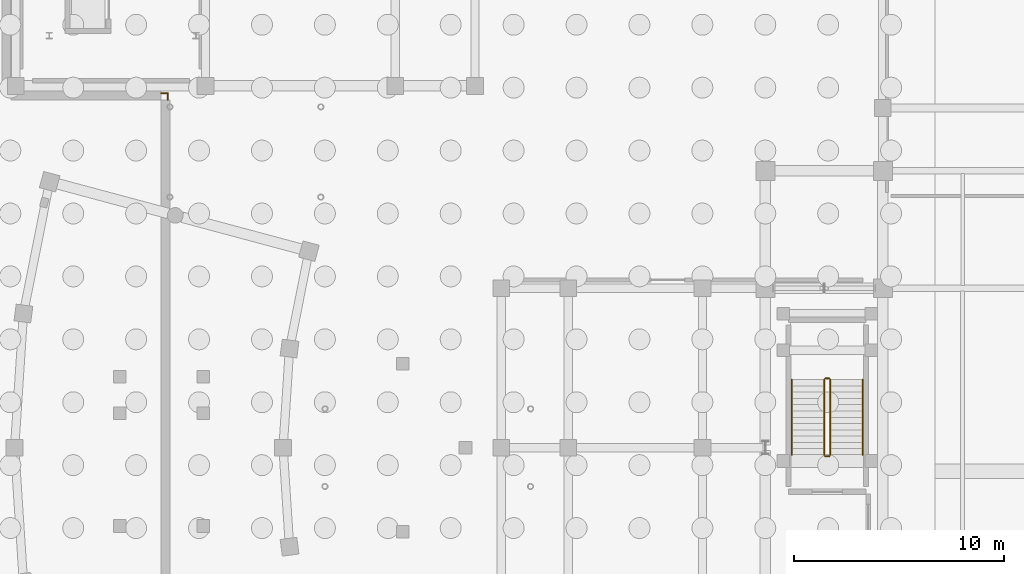
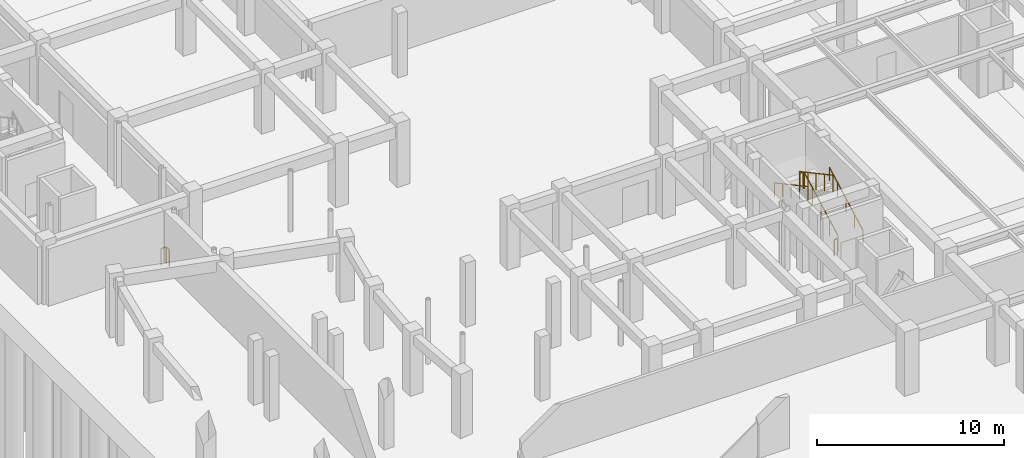
# One storey, part 30 of 33: 8 railings.
"""IFC4 building model written with IfcOpenShell, lengths in metres."""

from ifc_helpers import new_model, si_unit, direction, frame, origin, origin_2d, place, context, subcontext, project, spatial, rectangle, extrude, material, layer, layer_set, type_object, element, save


model = new_model("IFC4")

# Units and contexts
model_context = context("Model", 3, precision=1e-05, world=origin(), true_north=direction((0.0, 1.0)))
body_context = subcontext(model_context, "Body", "Model", "MODEL_VIEW")
ifc_project = project(units=[si_unit("LENGTHUNIT", "METRE"), si_unit("AREAUNIT", "SQUARE_METRE"), si_unit("VOLUMEUNIT", "CUBIC_METRE"), si_unit("PLANEANGLEUNIT", "RADIAN"), si_unit("MASSUNIT", "GRAM", prefix="KILO")], contexts=[model_context])

# Site, building, storey
site_placement = place(None, origin())
site = spatial("IfcSite", under=ifc_project, at=site_placement, CompositionType="ELEMENT")
building_placement = place(site_placement, origin())
building = spatial("IfcBuilding", under=site, at=building_placement, Name="Saryqyr Civic Hall", CompositionType="ELEMENT")
storey_placement = place(building_placement, frame((0.0, 0.0, -4.199951171875)))
storey = spatial("IfcBuildingStorey", under=building, at=storey_placement, Name="B1", CompositionType="ELEMENT", Elevation=-4.199951171875)

# Railings
ifc_material_1 = material(Name="Warm brushed brass and laminated glass", Category="glass")
ifc_layer_1 = layer(ifc_material_1, 0.06005859375, Name="Warm brushed brass and laminated glass")
ifc_layer_set_1 = layer_set([ifc_layer_1], Name="Warm brushed brass and laminated glass")
railing_type_1 = type_object("IfcRailingType", Name="INT-RLG-BAL-1100", PredefinedType="BALUSTRADE", material=ifc_layer_set_1)
railing_1_placement = place(storey_placement, frame((46.89990234375, 83.64990234375, 0.161376953125)))
element("IfcRailing", 1, at=railing_1_placement, inside=storey, type_object=railing_type_1, Name="B1 ST-1 stair guard 1", PredefinedType="BALUSTRADE", context=body_context, shape_type="SweptSolid", body=[
    extrude(rectangle(XDim=0.048095703125, YDim=0.048095703125, at=origin_2d()), frame((0.0, 0.0, 1.076171875), z_axis=(0.0, 0.880474934443, 0.474092701714), x_axis=(-1.0, 0.0, 0.0)), (0.0, 0.0, 1.0), 4.0888671875),
    extrude(rectangle(XDim=0.0419921875, YDim=0.0419921875, at=origin_2d()), origin(), (0.0, 0.0, 1.0), 1.052001953125),
    extrude(rectangle(XDim=0.0419921875, YDim=0.0419921875, at=origin_2d()), frame((0.0, 0.89990234375, 0.484619140625)), (0.0, 0.0, 1.0), 1.052001953125),
    extrude(rectangle(XDim=0.0419921875, YDim=0.0419921875, at=origin_2d()), frame((0.0, 1.800048828125, 0.96923828125)), (0.0, 0.0, 1.0), 1.052001953125),
    extrude(rectangle(XDim=0.0419921875, YDim=0.0419921875, at=origin_2d()), frame((0.0, 2.7001953125, 1.453857421875)), (0.0, 0.0, 1.0), 1.052001953125),
    extrude(rectangle(XDim=0.0419921875, YDim=0.0419921875, at=origin_2d()), frame((0.0, 3.60009765625, 1.9384765625)), (0.0, 0.0, 1.0), 1.052001953125),
])
railing_2_placement = place(storey_placement, frame((46.85009765625, 87.300048828125, 2.099853515625)))
element("IfcRailing", 2, at=railing_2_placement, inside=storey, type_object=railing_type_1, Name="B1 ST-1 stair guard 2", PredefinedType="BALUSTRADE", context=body_context, shape_type="SweptSolid", body=[
    extrude(rectangle(XDim=0.048095703125, YDim=0.048095703125, at=origin_2d()), frame((0.0, 0.0, 1.076171875), z_axis=(-1.0, 0.0, 0.0), x_axis=(0.0, -1.0, 0.0)), (0.0, 0.0, 1.0), 0.2001953125),
    extrude(rectangle(XDim=0.0419921875, YDim=0.0419921875, at=origin_2d()), origin(), (0.0, 0.0, 1.0), 1.052001953125),
    extrude(rectangle(XDim=0.0419921875, YDim=0.0419921875, at=origin_2d()), frame((-0.2001953125, 0.0, 0.0)), (0.0, 0.0, 1.0), 1.052001953125),
])
railing_3_placement = place(storey_placement, frame((46.60009765625, 87.25, 2.261474609375)))
element("IfcRailing", 3, at=railing_3_placement, inside=storey, type_object=railing_type_1, Name="B1 ST-1 stair guard 3", PredefinedType="BALUSTRADE", context=body_context, shape_type="SweptSolid", body=[
    extrude(rectangle(XDim=0.048095703125, YDim=0.048095703125, at=origin_2d()), frame((0.0, 0.0, 1.076171875), z_axis=(0.0, -0.880474934443, 0.474092701714), x_axis=(1.0, 0.0, 0.0)), (0.0, 0.0, 1.0), 4.0888671875),
    extrude(rectangle(XDim=0.0419921875, YDim=0.0419921875, at=origin_2d()), origin(), (0.0, 0.0, 1.0), 1.052001953125),
    extrude(rectangle(XDim=0.0419921875, YDim=0.0419921875, at=origin_2d()), frame((0.0, -0.89990234375, 0.484619140625)), (0.0, 0.0, 1.0), 1.052001953125),
    extrude(rectangle(XDim=0.0419921875, YDim=0.0419921875, at=origin_2d()), frame((0.0, -1.800048828125, 0.96923828125)), (0.0, 0.0, 1.0), 1.052001953125),
    extrude(rectangle(XDim=0.0419921875, YDim=0.0419921875, at=origin_2d()), frame((0.0, -2.7001953125, 1.453857421875)), (0.0, 0.0, 1.0), 1.052001953125),
    extrude(rectangle(XDim=0.0419921875, YDim=0.0419921875, at=origin_2d()), frame((0.0, -3.60009765625, 1.9384765625)), (0.0, 0.0, 1.0), 1.052001953125),
])
railing_4_placement = place(storey_placement, frame((46.85009765625, 83.60009765625, 0.0)))
element("IfcRailing", 4, at=railing_4_placement, inside=storey, type_object=railing_type_1, Name="B1 ST-1 stair guard 4", PredefinedType="BALUSTRADE", context=body_context, shape_type="SweptSolid", body=[
    extrude(rectangle(XDim=0.048095703125, YDim=0.048095703125, at=origin_2d()), frame((0.0, 0.0, 1.076171875), z_axis=(-1.0, 0.0, 0.0), x_axis=(0.0, -1.0, 0.0)), (0.0, 0.0, 1.0), 0.2001953125),
    extrude(rectangle(XDim=0.0419921875, YDim=0.0419921875, at=origin_2d()), origin(), (0.0, 0.0, 1.0), 1.052001953125),
    extrude(rectangle(XDim=0.0419921875, YDim=0.0419921875, at=origin_2d()), frame((-0.2001953125, 0.0, 0.0)), (0.0, 0.0, 1.0), 1.052001953125),
])
railing_5_placement = place(storey_placement, frame((15.300048828125, 100.580078125, 0.0)))
element("IfcRailing", 5, at=railing_5_placement, inside=storey, type_object=railing_type_1, Name="Interior deck safety balustrade B1-003", PredefinedType="BALUSTRADE", context=body_context, shape_type="SweptSolid", body=[
    extrude(rectangle(XDim=0.048095703125, YDim=0.048095703125, at=origin_2d()), frame((0.0, 0.0, 1.09619140625), z_axis=(0.0, 1.0, 0.0), x_axis=(-1.0, 0.0, 0.0)), (0.0, 0.0, 1.0), 0.31982421875),
    extrude(rectangle(XDim=0.0419921875, YDim=0.0419921875, at=origin_2d()), origin(), (0.0, 0.0, 1.0), 1.072021484375),
    extrude(rectangle(XDim=0.0419921875, YDim=0.0419921875, at=origin_2d()), frame((0.0, 0.31982421875, 0.0)), (0.0, 0.0, 1.0), 1.072021484375),
])
railing_6_placement = place(storey_placement, frame((15.300048828125, 100.89990234375, 0.0)))
element("IfcRailing", 6, at=railing_6_placement, inside=storey, type_object=railing_type_1, Name="Interior deck safety balustrade B1-004", PredefinedType="BALUSTRADE", context=body_context, shape_type="SweptSolid", body=[
    extrude(rectangle(XDim=0.048095703125, YDim=0.048095703125, at=origin_2d()), frame((0.0, 0.0, 1.09619140625), z_axis=(-1.0, 0.0, 0.0), x_axis=(0.0, -1.0, 0.0)), (0.0, 0.0, 1.0), 0.320068359375),
    extrude(rectangle(XDim=0.0419921875, YDim=0.0419921875, at=origin_2d()), origin(), (0.0, 0.0, 1.0), 1.072021484375),
    extrude(rectangle(XDim=0.0419921875, YDim=0.0419921875, at=origin_2d()), frame((-0.320068359375, 0.0, 0.0)), (0.0, 0.0, 1.0), 1.072021484375),
])
ifc_material_2 = material(Name="Stainless steel", Category="steel")
ifc_layer_2 = layer(ifc_material_2, 0.050048828125, Name="Stainless steel")
ifc_layer_set_2 = layer_set([ifc_layer_2], Name="Stainless steel")
railing_type_2 = type_object("IfcRailingType", Name="INT-RLG-HND-900", PredefinedType="HANDRAIL", material=ifc_layer_set_2)
railing_7_placement = place(storey_placement, frame((48.449951171875, 83.64990234375, 0.161376953125)))
element("IfcRailing", 7, at=railing_7_placement, inside=storey, type_object=railing_type_2, Name="B1 ST-1 stair handrail 1", PredefinedType="HANDRAIL", context=body_context, shape_type="SweptSolid", body=[
    extrude(rectangle(XDim=0.048095703125, YDim=0.048095703125, at=origin_2d()), frame((0.0, 0.0, 0.8759765625), z_axis=(0.0, 0.880474934443, 0.474092701714), x_axis=(-1.0, 0.0, 0.0)), (0.0, 0.0, 1.0), 4.0888671875),
    extrude(rectangle(XDim=0.0419921875, YDim=0.0419921875, at=origin_2d()), origin(), (0.0, 0.0, 1.0), 0.851806640625),
    extrude(rectangle(XDim=0.0419921875, YDim=0.0419921875, at=origin_2d()), frame((0.0, 0.89990234375, 0.484619140625)), (0.0, 0.0, 1.0), 0.851806640625),
    extrude(rectangle(XDim=0.0419921875, YDim=0.0419921875, at=origin_2d()), frame((0.0, 1.800048828125, 0.96923828125)), (0.0, 0.0, 1.0), 0.851806640625),
    extrude(rectangle(XDim=0.0419921875, YDim=0.0419921875, at=origin_2d()), frame((0.0, 2.7001953125, 1.453857421875)), (0.0, 0.0, 1.0), 0.851806640625),
    extrude(rectangle(XDim=0.0419921875, YDim=0.0419921875, at=origin_2d()), frame((0.0, 3.60009765625, 1.9384765625)), (0.0, 0.0, 1.0), 0.851806640625),
])
railing_8_placement = place(storey_placement, frame((45.050048828125, 87.25, 2.261474609375)))
element("IfcRailing", 8, at=railing_8_placement, inside=storey, type_object=railing_type_2, Name="B1 ST-1 stair handrail 2", PredefinedType="HANDRAIL", context=body_context, shape_type="SweptSolid", body=[
    extrude(rectangle(XDim=0.048095703125, YDim=0.048095703125, at=origin_2d()), frame((0.0, 0.0, 0.8759765625), z_axis=(0.0, -0.880474934443, 0.474092701714), x_axis=(1.0, 0.0, 0.0)), (0.0, 0.0, 1.0), 4.0888671875),
    extrude(rectangle(XDim=0.0419921875, YDim=0.0419921875, at=origin_2d()), origin(), (0.0, 0.0, 1.0), 0.851806640625),
    extrude(rectangle(XDim=0.0419921875, YDim=0.0419921875, at=origin_2d()), frame((0.0, -0.89990234375, 0.484619140625)), (0.0, 0.0, 1.0), 0.851806640625),
    extrude(rectangle(XDim=0.0419921875, YDim=0.0419921875, at=origin_2d()), frame((0.0, -1.800048828125, 0.96923828125)), (0.0, 0.0, 1.0), 0.851806640625),
    extrude(rectangle(XDim=0.0419921875, YDim=0.0419921875, at=origin_2d()), frame((0.0, -2.7001953125, 1.453857421875)), (0.0, 0.0, 1.0), 0.851806640625),
    extrude(rectangle(XDim=0.0419921875, YDim=0.0419921875, at=origin_2d()), frame((0.0, -3.60009765625, 1.9384765625)), (0.0, 0.0, 1.0), 0.851806640625),
])

save(model, "model.ifc")
